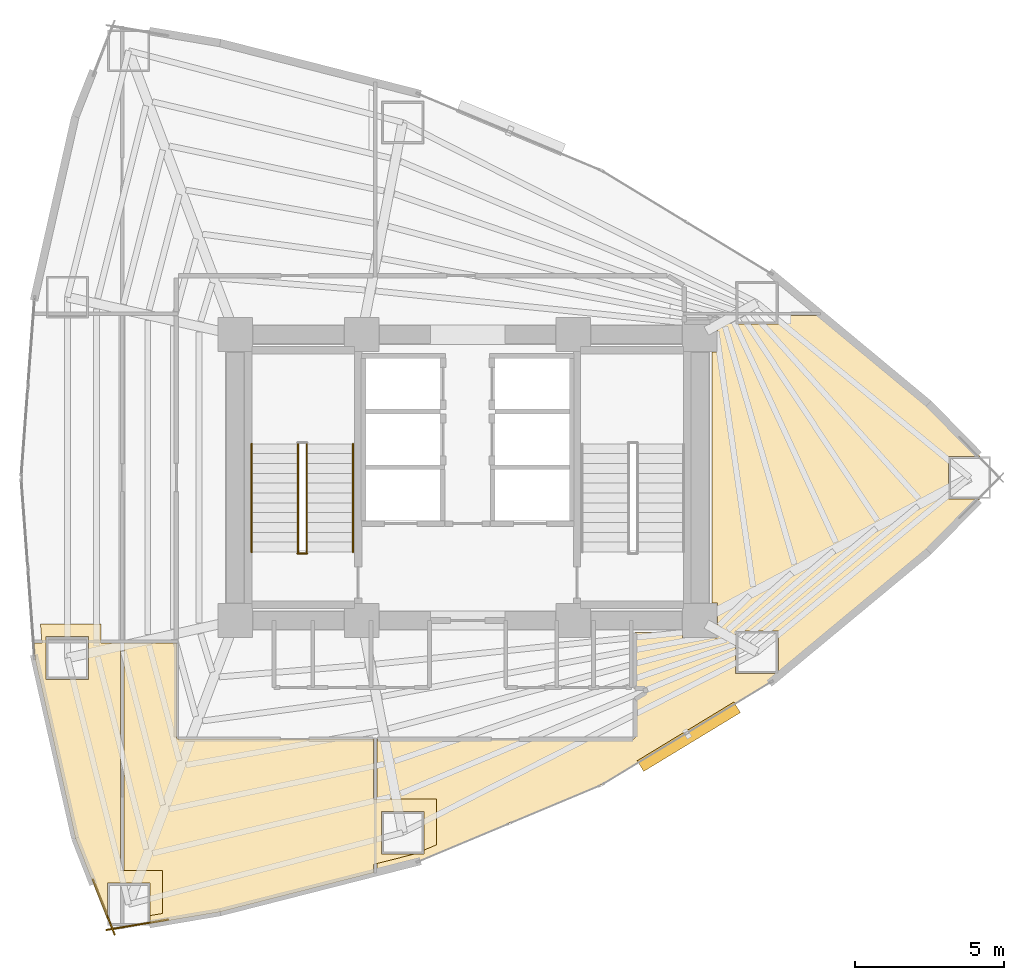
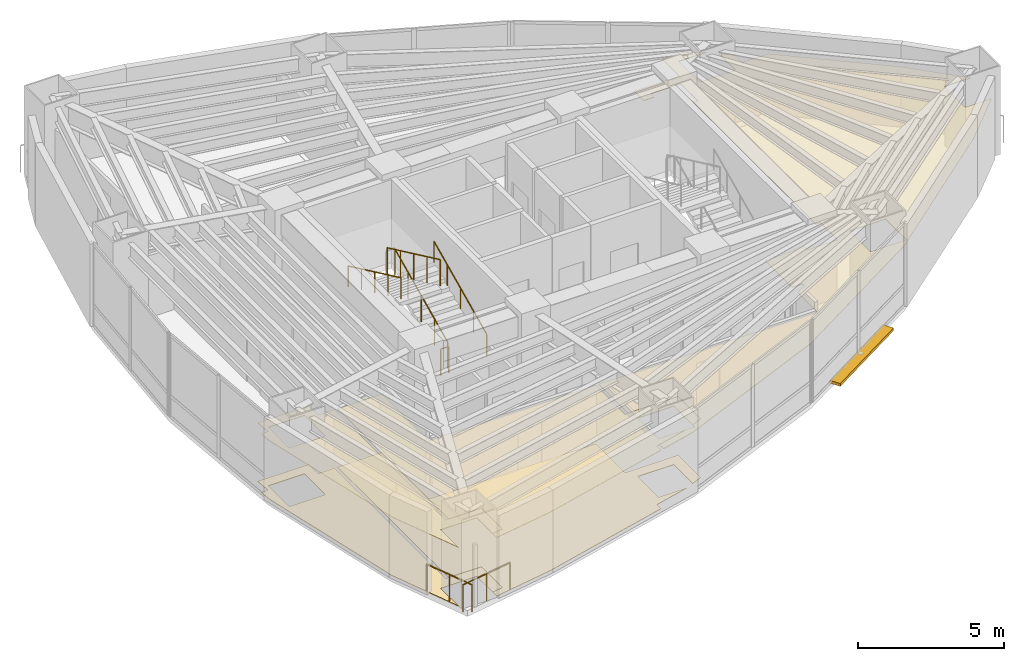
# One storey, part 16 of 17: 7 railings, 5 coverings, 1 shading device.
"""IFC4 building model written with IfcOpenShell, lengths in metres."""

from ifc_helpers import new_model, si_unit, direction, frame, origin, origin_2d, place, context, subcontext, project, spatial, polyline, rectangle, circle, outline, extrude, material, layer, layer_set, type_object, element, save


model = new_model("IFC4")

# Units and contexts
model_context = context("Model", 3, precision=1e-05, world=origin(), true_north=direction((0.0, 1.0)))
body_context = subcontext(model_context, "Body", "Model", "MODEL_VIEW")
ifc_project = project(units=[si_unit("LENGTHUNIT", "METRE"), si_unit("AREAUNIT", "SQUARE_METRE"), si_unit("VOLUMEUNIT", "CUBIC_METRE"), si_unit("PLANEANGLEUNIT", "RADIAN"), si_unit("MASSUNIT", "GRAM", prefix="KILO")], contexts=[model_context])

# Site, building, storey
site_placement = place(None, origin())
site = spatial("IfcSite", under=ifc_project, at=site_placement, CompositionType="ELEMENT")
building_placement = place(site_placement, origin())
building = spatial("IfcBuilding", under=site, at=building_placement, Name="Menara Vayukalpa", CompositionType="ELEMENT")
storey_placement = place(building_placement, frame((0.0, 0.0, 42.47998046875)))
storey = spatial("IfcBuildingStorey", under=building, at=storey_placement, Name="L09", CompositionType="ELEMENT", Elevation=42.47998046875)

# Coverings
ifc_material_1 = material(Name="Mineral Fibre Acoustic Ceiling Tile", Category="masonry")
ifc_layer_1 = layer(ifc_material_1, 0.02490234375)
ifc_layer_set_1 = layer_set([ifc_layer_1], Name="Mineral Fibre Acoustic Ceiling Tile")
covering_type_1 = type_object("IfcCoveringType", Name="COV-CLG1", PredefinedType="CEILING", material=ifc_layer_set_1)
covering_1_placement = place(storey_placement, frame((0.0, 0.0, 2.449951171875)))
element("IfcCovering", 1, at=covering_1_placement, inside=storey, type_object=covering_type_1, Name="L09 Executive Boardroom Acoustic Ceiling", PredefinedType="CEILING", context=body_context, shape_type="SweptSolid", body=[
    extrude(outline(polyline([(14.9326171875, 7.2900390625), (14.9326171875, 8.380615234375), (13.502685546875, 8.380615234375), (13.502685546875, 7.1708984375), (12.4375, 9.883056640625), (12.437255859375, 9.8837890625), (12.43701171875, 9.884521484375), (11.07421875, 15.941162109375), (11.073974609375, 15.942626953125), (11.03759765625, 16.42919921875), (11.03759765625, 16.43017578125), (11.03759765625, 16.43115234375), (11.03759765625, 16.43212890625), (11.0380859375, 16.43310546875), (11.038330078125, 16.43408203125), (11.038818359375, 16.434814453125), (11.039306640625, 16.435791015625), (11.039794921875, 16.436279296875), (11.04052734375, 16.43701171875), (11.041259765625, 16.437744140625), (11.0419921875, 16.4384765625), (11.042724609375, 16.43896484375), (11.043701171875, 16.439208984375), (11.044677734375, 16.439697265625), (11.045654296875, 16.439697265625), (11.04638671875, 16.43994140625), (11.047607421875, 16.43994140625), (11.3076171875, 16.43994140625), (11.260009765625, 17.075439453125), (13.29931640625, 17.075439453125), (13.29931640625, 16.43994140625), (13.929931640625, 16.43994140625), (13.930908203125, 16.43994140625), (13.931884765625, 16.439697265625), (13.932861328125, 16.439697265625), (13.933837890625, 16.439208984375), (13.934814453125, 16.438720703125), (13.935546875, 16.438232421875), (13.936279296875, 16.437744140625), (13.93701171875, 16.43701171875), (13.937744140625, 16.436279296875), (13.938232421875, 16.435546875), (13.938720703125, 16.434814453125), (13.939208984375, 16.433837890625), (13.939697265625, 16.432861328125), (13.939697265625, 16.431884765625), (13.93994140625, 16.430908203125), (13.93994140625, 16.429931640625), (13.93994140625, 8.800537109375), (15.3525390625, 8.800537109375), (15.3525390625, 7.361328125), (14.9326171875, 7.2900390625)]), holes=[polyline([(12.879150390625, 16.655517578125), (11.44921875, 16.655517578125), (11.44921875, 15.225341796875), (12.879150390625, 15.225341796875), (12.879150390625, 16.655517578125)])]), origin(), (0.0, 0.0, 1.0), 0.025146484375),
])
covering_2_placement = place(storey_placement, frame((0.0, 0.0, 2.449951171875)))
element("IfcCovering", 2, at=covering_2_placement, inside=storey, type_object=covering_type_1, Name="L09 Executive Boardroom Acoustic Ceiling", PredefinedType="CEILING", context=body_context, shape_type="SweptSolid", body=[
    extrude(outline(polyline([(13.152587890625, 8.800537109375), (14.06005859375, 8.800537109375), (14.06005859375, 16.429931640625), (14.06005859375, 16.430908203125), (14.060302734375, 16.431884765625), (14.060302734375, 16.432861328125), (14.060791015625, 16.433837890625), (14.061279296875, 16.434814453125), (14.061767578125, 16.435546875), (14.062255859375, 16.436279296875), (14.06298828125, 16.43701171875), (14.063720703125, 16.437744140625), (14.064453125, 16.438232421875), (14.065185546875, 16.438720703125), (14.066162109375, 16.439208984375), (14.067138671875, 16.439697265625), (14.068115234375, 16.439697265625), (14.069091796875, 16.43994140625), (14.070068359375, 16.43994140625), (15.820068359375, 16.43994140625), (15.821044921875, 16.43994140625), (15.822021484375, 16.439697265625), (15.822998046875, 16.439697265625), (15.82373046875, 16.439208984375), (15.82470703125, 16.438720703125), (15.82568359375, 16.438232421875), (15.826416015625, 16.437744140625), (15.8271484375, 16.43701171875), (15.82763671875, 16.436279296875), (15.828369140625, 16.435546875), (15.828857421875, 16.434814453125), (15.8291015625, 16.433837890625), (15.82958984375, 16.432861328125), (15.829833984375, 16.431884765625), (15.830078125, 16.430908203125), (15.830078125, 16.429931640625), (15.830078125, 13.290283203125), (15.830322265625, 13.283203125), (15.831298828125, 13.2763671875), (15.8330078125, 13.269775390625), (15.835205078125, 13.26318359375), (15.838134765625, 13.257080078125), (15.841796875, 13.251220703125), (15.845947265625, 13.24560546875), (15.8505859375, 13.240478515625), (15.85546875, 13.236083984375), (15.861083984375, 13.231689453125), (15.866943359375, 13.228271484375), (15.873291015625, 13.225341796875), (15.879638671875, 13.222900390625), (15.88623046875, 13.22119140625), (15.893310546875, 13.220458984375), (15.900390625, 13.219970703125), (22.429931640625, 13.219970703125), (22.430908203125, 13.219970703125), (22.431884765625, 13.2197265625), (22.432861328125, 13.219482421875), (22.433837890625, 13.21923828125), (22.434814453125, 13.21875), (22.435546875, 13.21826171875), (22.436279296875, 13.2177734375), (22.43701171875, 13.217041015625), (22.437744140625, 13.21630859375), (22.438232421875, 13.215576171875), (22.438720703125, 13.214599609375), (22.439208984375, 13.2138671875), (22.439697265625, 13.212890625), (22.439697265625, 13.2119140625), (22.43994140625, 13.2109375), (22.43994140625, 13.2099609375), (22.43994140625, 11.212158203125), (24.554443359375, 11.212158203125), (24.554443359375, 9.66650390625), (24.134521484375, 9.49072265625), (24.134521484375, 10.792236328125), (22.704345703125, 10.792236328125), (22.704345703125, 9.3623046875), (23.825439453125, 9.3623046875), (22.43994140625, 9.0087890625), (22.43994140625, 8.738037109375), (22.43994140625, 8.737060546875), (22.439697265625, 8.736083984375), (22.439453125, 8.735107421875), (22.439208984375, 8.73388671875), (22.438720703125, 8.733154296875), (22.438232421875, 8.732421875), (22.4375, 8.7314453125), (22.43701171875, 8.730712890625), (22.43603515625, 8.72998046875), (22.435302734375, 8.7294921875), (22.434326171875, 8.72900390625), (22.433349609375, 8.728515625), (22.4326171875, 8.728271484375), (17.285888671875, 7.415771484375), (17.28515625, 7.41552734375), (14.9326171875, 7.01611328125), (14.9326171875, 8.380615234375), (13.502685546875, 8.380615234375), (13.502685546875, 7.90966796875), (13.152587890625, 8.800537109375)])), origin(), (0.0, 0.0, 1.0), 0.025146484375),
])
covering_3_placement = place(storey_placement, frame((0.0, 0.0, 2.449951171875)))
element("IfcCovering", 3, at=covering_3_placement, inside=storey, type_object=covering_type_1, Name="L09 Executive Boardroom Acoustic Ceiling", PredefinedType="CEILING", context=body_context, shape_type="SweptSolid", body=[
    extrude(outline(polyline([(22.284423828125, 11.212158203125), (22.56005859375, 11.212158203125), (22.56005859375, 13.2099609375), (22.56005859375, 13.2109375), (22.560302734375, 13.2119140625), (22.560302734375, 13.212890625), (22.560791015625, 13.2138671875), (22.561279296875, 13.214599609375), (22.561767578125, 13.215576171875), (22.562255859375, 13.21630859375), (22.56298828125, 13.217041015625), (22.563720703125, 13.2177734375), (22.564453125, 13.21826171875), (22.565185546875, 13.21875), (22.566162109375, 13.21923828125), (22.567138671875, 13.219482421875), (22.568115234375, 13.2197265625), (22.569091796875, 13.219970703125), (22.570068359375, 13.219970703125), (31.149658203125, 13.219970703125), (31.15673828125, 13.220458984375), (31.163818359375, 13.22119140625), (31.17041015625, 13.222900390625), (31.1767578125, 13.225341796875), (31.18310546875, 13.228271484375), (31.188720703125, 13.231689453125), (31.194580078125, 13.236083984375), (31.199462890625, 13.240478515625), (31.2041015625, 13.24560546875), (31.208251953125, 13.251220703125), (31.2119140625, 13.257080078125), (31.214599609375, 13.26318359375), (31.217041015625, 13.269775390625), (31.21875, 13.2763671875), (31.219482421875, 13.283203125), (31.219970703125, 13.290283203125), (31.219970703125, 14.55810546875), (31.22021484375, 14.55908203125), (31.22021484375, 14.56005859375), (31.220458984375, 14.56103515625), (31.220703125, 14.56201171875), (31.22119140625, 14.56298828125), (31.2216796875, 14.563720703125), (31.222412109375, 14.564697265625), (31.22314453125, 14.565185546875), (31.22412109375, 14.56591796875), (31.224853515625, 14.56640625), (31.5927734375, 14.7900390625), (31.5986328125, 14.794189453125), (31.60400390625, 14.798583984375), (31.60888671875, 14.803466796875), (31.61328125, 14.80908203125), (31.6171875, 14.81494140625), (31.620361328125, 14.821044921875), (31.622802734375, 14.82763671875), (31.624755859375, 14.83447265625), (31.626220703125, 14.84130859375), (31.626708984375, 14.84814453125), (31.62646484375, 14.85498046875), (31.62548828125, 14.862060546875), (31.6240234375, 14.868896484375), (31.621826171875, 14.87548828125), (31.618896484375, 14.8818359375), (31.615478515625, 14.887939453125), (31.611328125, 14.8935546875), (31.606689453125, 14.898681640625), (31.6015625, 14.903564453125), (31.59619140625, 14.90771484375), (31.590087890625, 14.911376953125), (31.583740234375, 14.91455078125), (31.5771484375, 14.916748046875), (31.570556640625, 14.918701171875), (31.563720703125, 14.919677734375), (31.556396484375, 14.919921875), (31.219970703125, 14.919921875), (31.218994140625, 14.919921875), (31.218017578125, 14.920166015625), (31.217041015625, 14.92041015625), (31.21630859375, 14.9208984375), (31.21533203125, 14.921142578125), (31.21435546875, 14.921630859375), (31.213623046875, 14.92236328125), (31.212890625, 14.9228515625), (31.21240234375, 14.923583984375), (31.211669921875, 14.92431640625), (31.211181640625, 14.92529296875), (31.210693359375, 14.92626953125), (31.21044921875, 14.927001953125), (31.210205078125, 14.927978515625), (31.2099609375, 14.928955078125), (31.2099609375, 14.929931640625), (31.2099609375, 16.780029296875), (31.2099609375, 16.781005859375), (31.210205078125, 16.781982421875), (31.21044921875, 16.782958984375), (31.210693359375, 16.78369140625), (31.211181640625, 16.78466796875), (31.211669921875, 16.78564453125), (31.21240234375, 16.786376953125), (31.212890625, 16.787109375), (31.213623046875, 16.78759765625), (31.21435546875, 16.788330078125), (31.21533203125, 16.788818359375), (31.21630859375, 16.789306640625), (31.217041015625, 16.78955078125), (31.218017578125, 16.789794921875), (31.218994140625, 16.7900390625), (31.219970703125, 16.7900390625), (32.389892578125, 16.7900390625), (32.389892578125, 16.85009765625), (32.81005859375, 16.85009765625), (32.81005859375, 16.610107421875), (33.989990234375, 16.610107421875), (33.989990234375, 17.7900390625), (33.81005859375, 17.7900390625), (33.81005859375, 26.2099609375), (33.989990234375, 26.2099609375), (33.989990234375, 27.389892578125), (32.81005859375, 27.389892578125), (32.81005859375, 27.14990234375), (32.389892578125, 27.14990234375), (32.389892578125, 27.81005859375), (34.18310546875, 27.81005859375), (34.18310546875, 28.998291015625), (35.023193359375, 28.998291015625), (35.654296875, 28.61474609375), (35.698486328125, 28.578125), (34.60302734375, 28.578125), (34.60302734375, 27.148193359375), (36.032958984375, 27.148193359375), (36.032958984375, 28.30078125), (36.452880859375, 27.952392578125), (36.452880859375, 27.43994140625), (37.45263671875, 27.43994140625), (37.458740234375, 27.440185546875), (37.46435546875, 27.441162109375), (37.47021484375, 27.442626953125), (37.475830078125, 27.444580078125), (37.47802734375, 27.445556640625), (37.478759765625, 27.446044921875), (37.479736328125, 27.4462890625), (37.480712890625, 27.446533203125), (37.481689453125, 27.446533203125), (37.482666015625, 27.446533203125), (37.4833984375, 27.446533203125), (37.484619140625, 27.4462890625), (37.4853515625, 27.446044921875), (37.486328125, 27.44580078125), (37.487060546875, 27.4453125), (37.48779296875, 27.44482421875), (37.48876953125, 27.4443359375), (41.07763671875, 24.468017578125), (41.078369140625, 24.46728515625), (42.798828125, 22.715087890625), (41.749755859375, 22.715087890625), (41.749755859375, 21.284912109375), (42.798828125, 21.284912109375), (41.078369140625, 19.53271484375), (41.07763671875, 19.531982421875), (35.81201171875, 15.165283203125), (35.810791015625, 15.164306640625), (30.09130859375, 11.68994140625), (30.090576171875, 11.689697265625), (30.08984375, 11.689208984375), (23.916015625, 9.106689453125), (23.914794921875, 9.106201171875), (22.572509765625, 8.763916015625), (22.571533203125, 8.763916015625), (22.570556640625, 8.763671875), (22.569580078125, 8.763671875), (22.568603515625, 8.763916015625), (22.567626953125, 8.763916015625), (22.56689453125, 8.76416015625), (22.56591796875, 8.7646484375), (22.565185546875, 8.764892578125), (22.564208984375, 8.765380859375), (22.5634765625, 8.76611328125), (22.562744140625, 8.766845703125), (22.562255859375, 8.767578125), (22.5615234375, 8.768310546875), (22.56103515625, 8.76904296875), (22.560791015625, 8.77001953125), (22.560302734375, 8.77099609375), (22.560302734375, 8.771728515625), (22.56005859375, 8.772705078125), (22.56005859375, 8.773681640625), (22.56005859375, 9.03955078125), (22.284423828125, 8.96923828125), (22.284423828125, 11.212158203125)]), holes=[polyline([(24.134521484375, 10.792236328125), (22.704345703125, 10.792236328125), (22.704345703125, 9.3623046875), (24.134521484375, 9.3623046875), (24.134521484375, 10.792236328125)]), polyline([(36.032958984375, 16.851806640625), (34.60302734375, 16.851806640625), (34.60302734375, 15.421875), (36.032958984375, 15.421875), (36.032958984375, 16.851806640625)])]), origin(), (0.0, 0.0, 1.0), 0.025146484375),
])
ifc_material_2 = material(Name="Porcelain Stoneware Floor Tile", Category="masonry")
ifc_layer_2 = layer(ifc_material_2, 0.02001953125)
ifc_layer_set_2 = layer_set([ifc_layer_2], Name="Porcelain Stoneware Floor Tile")
covering_type_2 = type_object("IfcCoveringType", Name="COV-FLR1", PredefinedType="FLOORING", material=ifc_layer_set_2)
covering_4_placement = place(storey_placement, origin())
element("IfcCovering", 4, at=covering_4_placement, inside=storey, type_object=covering_type_2, Name="L09 Executive Boardroom Porcelain Flooring", PredefinedType="FLOORING", context=body_context, shape_type="SweptSolid", body=[
    extrude(outline(polyline([(14.9326171875, 7.2900390625), (14.9326171875, 8.380615234375), (13.502685546875, 8.380615234375), (13.502685546875, 7.1708984375), (12.4375, 9.883056640625), (12.437255859375, 9.8837890625), (12.43701171875, 9.884521484375), (11.07421875, 15.941162109375), (11.073974609375, 15.942626953125), (11.03759765625, 16.42919921875), (11.03759765625, 16.43017578125), (11.03759765625, 16.43115234375), (11.03759765625, 16.43212890625), (11.0380859375, 16.43310546875), (11.038330078125, 16.43408203125), (11.038818359375, 16.434814453125), (11.039306640625, 16.435791015625), (11.039794921875, 16.436279296875), (11.04052734375, 16.43701171875), (11.041259765625, 16.437744140625), (11.0419921875, 16.4384765625), (11.042724609375, 16.43896484375), (11.043701171875, 16.439208984375), (11.044677734375, 16.439697265625), (11.045654296875, 16.439697265625), (11.04638671875, 16.43994140625), (11.047607421875, 16.43994140625), (11.3076171875, 16.43994140625), (11.260009765625, 17.075439453125), (13.29931640625, 17.075439453125), (13.29931640625, 16.43994140625), (13.929931640625, 16.43994140625), (13.930908203125, 16.43994140625), (13.931884765625, 16.439697265625), (13.932861328125, 16.439697265625), (13.933837890625, 16.439208984375), (13.934814453125, 16.438720703125), (13.935546875, 16.438232421875), (13.936279296875, 16.437744140625), (13.93701171875, 16.43701171875), (13.937744140625, 16.436279296875), (13.938232421875, 16.435546875), (13.938720703125, 16.434814453125), (13.939208984375, 16.433837890625), (13.939697265625, 16.432861328125), (13.939697265625, 16.431884765625), (13.93994140625, 16.430908203125), (13.93994140625, 16.429931640625), (13.93994140625, 8.800537109375), (15.3525390625, 8.800537109375), (15.3525390625, 7.361328125), (14.9326171875, 7.2900390625)]), holes=[polyline([(12.879150390625, 16.655517578125), (11.44921875, 16.655517578125), (11.44921875, 15.225341796875), (12.879150390625, 15.225341796875), (12.879150390625, 16.655517578125)])]), origin(), (0.0, 0.0, 1.0), 0.02001953125),
])
covering_5_placement = place(storey_placement, origin())
element("IfcCovering", 5, at=covering_5_placement, inside=storey, type_object=covering_type_2, Name="L09 Executive Boardroom Porcelain Flooring", PredefinedType="FLOORING", context=body_context, shape_type="SweptSolid", body=[
    extrude(outline(polyline([(13.152587890625, 8.800537109375), (14.06005859375, 8.800537109375), (14.06005859375, 16.429931640625), (14.06005859375, 16.430908203125), (14.060302734375, 16.431884765625), (14.060302734375, 16.432861328125), (14.060791015625, 16.433837890625), (14.061279296875, 16.434814453125), (14.061767578125, 16.435546875), (14.062255859375, 16.436279296875), (14.06298828125, 16.43701171875), (14.063720703125, 16.437744140625), (14.064453125, 16.438232421875), (14.065185546875, 16.438720703125), (14.066162109375, 16.439208984375), (14.067138671875, 16.439697265625), (14.068115234375, 16.439697265625), (14.069091796875, 16.43994140625), (14.070068359375, 16.43994140625), (15.820068359375, 16.43994140625), (15.821044921875, 16.43994140625), (15.822021484375, 16.439697265625), (15.822998046875, 16.439697265625), (15.82373046875, 16.439208984375), (15.82470703125, 16.438720703125), (15.82568359375, 16.438232421875), (15.826416015625, 16.437744140625), (15.8271484375, 16.43701171875), (15.82763671875, 16.436279296875), (15.828369140625, 16.435546875), (15.828857421875, 16.434814453125), (15.8291015625, 16.433837890625), (15.82958984375, 16.432861328125), (15.829833984375, 16.431884765625), (15.830078125, 16.430908203125), (15.830078125, 16.429931640625), (15.830078125, 13.290283203125), (15.830322265625, 13.283203125), (15.831298828125, 13.2763671875), (15.8330078125, 13.269775390625), (15.835205078125, 13.26318359375), (15.838134765625, 13.257080078125), (15.841796875, 13.251220703125), (15.845947265625, 13.24560546875), (15.8505859375, 13.240478515625), (15.85546875, 13.236083984375), (15.861083984375, 13.231689453125), (15.866943359375, 13.228271484375), (15.873291015625, 13.225341796875), (15.879638671875, 13.222900390625), (15.88623046875, 13.22119140625), (15.893310546875, 13.220458984375), (15.900390625, 13.219970703125), (22.429931640625, 13.219970703125), (22.430908203125, 13.219970703125), (22.431884765625, 13.2197265625), (22.432861328125, 13.219482421875), (22.433837890625, 13.21923828125), (22.434814453125, 13.21875), (22.435546875, 13.21826171875), (22.436279296875, 13.2177734375), (22.43701171875, 13.217041015625), (22.437744140625, 13.21630859375), (22.438232421875, 13.215576171875), (22.438720703125, 13.214599609375), (22.439208984375, 13.2138671875), (22.439697265625, 13.212890625), (22.439697265625, 13.2119140625), (22.43994140625, 13.2109375), (22.43994140625, 13.2099609375), (22.43994140625, 11.212158203125), (24.554443359375, 11.212158203125), (24.554443359375, 9.66650390625), (24.134521484375, 9.49072265625), (24.134521484375, 10.792236328125), (22.704345703125, 10.792236328125), (22.704345703125, 9.3623046875), (23.825439453125, 9.3623046875), (22.43994140625, 9.0087890625), (22.43994140625, 8.738037109375), (22.43994140625, 8.737060546875), (22.439697265625, 8.736083984375), (22.439453125, 8.735107421875), (22.439208984375, 8.73388671875), (22.438720703125, 8.733154296875), (22.438232421875, 8.732421875), (22.4375, 8.7314453125), (22.43701171875, 8.730712890625), (22.43603515625, 8.72998046875), (22.435302734375, 8.7294921875), (22.434326171875, 8.72900390625), (22.433349609375, 8.728515625), (22.4326171875, 8.728271484375), (17.285888671875, 7.415771484375), (17.28515625, 7.41552734375), (14.9326171875, 7.01611328125), (14.9326171875, 8.380615234375), (13.502685546875, 8.380615234375), (13.502685546875, 7.90966796875), (13.152587890625, 8.800537109375)])), origin(), (0.0, 0.0, 1.0), 0.02001953125),
])

# Railings
ifc_material_3 = material(Name="Laminated Glass and Stainless Steel 316 Guardrail", Category="steel")
railing_type_1 = type_object("IfcRailingType", Name="RLG-EXT115", PredefinedType="GUARDRAIL", material=ifc_material_3)
railing_1_placement = place(storey_placement, frame((13.02099609375, 8.50634765625, 0.0)))
element("IfcRailing", 6, at=railing_1_placement, inside=storey, type_object=railing_type_1, Name="L09 Column Corner Spandrel Guardrail 13-1", PredefinedType="GUARDRAIL", context=body_context, shape_type="SweptSolid", body=[
    extrude(circle(Radius=0.02392578125, at=origin_2d()), frame((0.0, 0.0, 1.1259765625), z_axis=(0.365580158762, -0.930779859859, 0.0), x_axis=(0.930779859859, 0.365580158762, 0.0)), (0.0, 0.0, 1.0), 1.9873046875),
    extrude(circle(Radius=0.02099609375, at=origin_2d()), origin(), (0.0, 0.0, 1.0), 1.101806640625),
    extrude(circle(Radius=0.02099609375, at=origin_2d()), frame((0.36328125, -0.9248046875, 0.0)), (0.0, 0.0, 1.0), 1.101806640625),
    extrude(circle(Radius=0.02099609375, at=origin_2d()), frame((0.7265625, -1.849853515625, 0.0)), (0.0, 0.0, 1.0), 1.101806640625),
])
railing_2_placement = place(storey_placement, frame((13.4765625, 6.8095703125, 0.0)))
element("IfcRailing", 7, at=railing_2_placement, inside=storey, type_object=railing_type_1, Name="L09 Column Corner Spandrel Guardrail 14-1", PredefinedType="GUARDRAIL", context=body_context, shape_type="SweptSolid", body=[
    extrude(circle(Radius=0.02392578125, at=origin_2d()), frame((0.0, 0.0, 1.1259765625), z_axis=(0.985904350491, 0.167309927029, 0.0), x_axis=(-0.167309927029, 0.985904350491, 0.0)), (0.0, 0.0, 1.0), 2.093994140625),
    extrude(circle(Radius=0.02099609375, at=origin_2d()), origin(), (0.0, 0.0, 1.0), 1.101806640625),
    extrude(circle(Radius=0.02099609375, at=origin_2d()), frame((1.0322265625, 0.17529296875, 0.0)), (0.0, 0.0, 1.0), 1.101806640625),
    extrude(circle(Radius=0.02099609375, at=origin_2d()), frame((2.064453125, 0.350341796875, 0.0)), (0.0, 0.0, 1.0), 1.101806640625),
])
ifc_material_4 = material(Name="Powder-Coated Galvanised Steel Guardrail", Category="steel")
railing_type_2 = type_object("IfcRailingType", Name="RLG-STG110", PredefinedType="GUARDRAIL", material=ifc_material_4)
railing_3_placement = place(storey_placement, frame((20.199951171875, 19.5, 0.155029296875)))
element("IfcRailing", 8, at=railing_3_placement, inside=storey, type_object=railing_type_2, Name="L09 ST-1 stair guard 1", PredefinedType="GUARDRAIL", context=body_context, shape_type="SweptSolid", body=[
    extrude(circle(Radius=0.02392578125, at=origin_2d()), frame((0.0, 0.0, 1.09619140625), z_axis=(0.0, 0.90511648382, 0.425163675209), x_axis=(-1.0, 0.0, 0.0)), (0.0, 0.0, 1.0), 4.010498046875),
    extrude(circle(Radius=0.02099609375, at=origin_2d()), origin(), (0.0, 0.0, 1.0), 1.072021484375),
    extrude(circle(Radius=0.02099609375, at=origin_2d()), frame((0.0, 0.907470703125, 0.42626953125)), (0.0, 0.0, 1.0), 1.072021484375),
    extrude(circle(Radius=0.02099609375, at=origin_2d()), frame((0.0, 1.81494140625, 0.8525390625)), (0.0, 0.0, 1.0), 1.072021484375),
    extrude(circle(Radius=0.02099609375, at=origin_2d()), frame((0.0, 2.722412109375, 1.27880859375)), (0.0, 0.0, 1.0), 1.072021484375),
    extrude(circle(Radius=0.02099609375, at=origin_2d()), frame((0.0, 3.6298828125, 1.705078125)), (0.0, 0.0, 1.0), 1.072021484375),
])
railing_4_placement = place(storey_placement, frame((19.89990234375, 23.1298828125, 2.01513671875)))
element("IfcRailing", 9, at=railing_4_placement, inside=storey, type_object=railing_type_2, Name="L09 ST-1 stair guard 3", PredefinedType="GUARDRAIL", context=body_context, shape_type="SweptSolid", body=[
    extrude(circle(Radius=0.02392578125, at=origin_2d()), frame((0.0, 0.0, 1.09619140625), z_axis=(0.0, -0.90513990983, 0.425113800803), x_axis=(1.0, 0.0, 0.0)), (0.0, 0.0, 1.0), 4.01025390625),
    extrude(circle(Radius=0.02099609375, at=origin_2d()), origin(), (0.0, 0.0, 1.0), 1.072021484375),
    extrude(circle(Radius=0.02099609375, at=origin_2d()), frame((0.0, -0.907470703125, 0.42626953125)), (0.0, 0.0, 1.0), 1.072021484375),
    extrude(circle(Radius=0.02099609375, at=origin_2d()), frame((0.0, -1.81494140625, 0.8525390625)), (0.0, 0.0, 1.0), 1.072021484375),
    extrude(circle(Radius=0.02099609375, at=origin_2d()), frame((0.0, -2.722412109375, 1.278564453125)), (0.0, 0.0, 1.0), 1.072021484375),
    extrude(circle(Radius=0.02099609375, at=origin_2d()), frame((0.0, -3.6298828125, 1.704833984375)), (0.0, 0.0, 1.0), 1.072021484375),
])
railing_5_placement = place(storey_placement, frame((20.2099609375, 19.449951171875, 0.0)))
element("IfcRailing", 10, at=railing_5_placement, inside=storey, type_object=railing_type_2, Name="L09 ST-1 stair guard 4", PredefinedType="GUARDRAIL", context=body_context, shape_type="SweptSolid", body=[
    extrude(circle(Radius=0.02392578125, at=origin_2d()), frame((0.0, 0.0, 1.09619140625), z_axis=(-1.0, 0.0, 0.0), x_axis=(0.0, -1.0, 0.0)), (0.0, 0.0, 1.0), 0.320068359375),
    extrude(circle(Radius=0.02099609375, at=origin_2d()), origin(), (0.0, 0.0, 1.0), 1.072021484375),
    extrude(circle(Radius=0.02099609375, at=origin_2d()), frame((-0.320068359375, 0.0, 0.0)), (0.0, 0.0, 1.0), 1.072021484375),
])
ifc_material_5 = material(Name="Stainless Steel 316 Tubular Handrail", Category="steel")
railing_type_3 = type_object("IfcRailingType", Name="RLG-STH090", PredefinedType="HANDRAIL", material=ifc_material_5)
railing_6_placement = place(storey_placement, frame((21.75, 19.5, 0.155029296875)))
element("IfcRailing", 11, at=railing_6_placement, inside=storey, type_object=railing_type_3, Name="L09 ST-1 stair handrail 1", PredefinedType="HANDRAIL", context=body_context, shape_type="SweptSolid", body=[
    extrude(circle(Radius=0.02392578125, at=origin_2d()), frame((0.0, 0.0, 0.8759765625), z_axis=(0.0, 0.90511648382, 0.425163675209), x_axis=(-1.0, 0.0, 0.0)), (0.0, 0.0, 1.0), 4.010498046875),
    extrude(circle(Radius=0.02099609375, at=origin_2d()), origin(), (0.0, 0.0, 1.0), 0.851806640625),
    extrude(circle(Radius=0.02099609375, at=origin_2d()), frame((0.0, 0.907470703125, 0.42626953125)), (0.0, 0.0, 1.0), 0.851806640625),
    extrude(circle(Radius=0.02099609375, at=origin_2d()), frame((0.0, 1.81494140625, 0.8525390625)), (0.0, 0.0, 1.0), 0.851806640625),
    extrude(circle(Radius=0.02099609375, at=origin_2d()), frame((0.0, 2.722412109375, 1.27880859375)), (0.0, 0.0, 1.0), 0.851806640625),
    extrude(circle(Radius=0.02099609375, at=origin_2d()), frame((0.0, 3.6298828125, 1.705078125)), (0.0, 0.0, 1.0), 0.851806640625),
])
railing_7_placement = place(storey_placement, frame((18.35009765625, 23.1298828125, 2.01513671875)))
element("IfcRailing", 12, at=railing_7_placement, inside=storey, type_object=railing_type_3, Name="L09 ST-1 stair handrail 2", PredefinedType="HANDRAIL", context=body_context, shape_type="SweptSolid", body=[
    extrude(circle(Radius=0.02392578125, at=origin_2d()), frame((0.0, 0.0, 0.8759765625), z_axis=(0.0, -0.90513990983, 0.425113800803), x_axis=(1.0, 0.0, 0.0)), (0.0, 0.0, 1.0), 4.01025390625),
    extrude(circle(Radius=0.02099609375, at=origin_2d()), origin(), (0.0, 0.0, 1.0), 0.851806640625),
    extrude(circle(Radius=0.02099609375, at=origin_2d()), frame((0.0, -0.907470703125, 0.42626953125)), (0.0, 0.0, 1.0), 0.851806640625),
    extrude(circle(Radius=0.02099609375, at=origin_2d()), frame((0.0, -1.81494140625, 0.8525390625)), (0.0, 0.0, 1.0), 0.851806640625),
    extrude(circle(Radius=0.02099609375, at=origin_2d()), frame((0.0, -2.722412109375, 1.278564453125)), (0.0, 0.0, 1.0), 0.851806640625),
    extrude(circle(Radius=0.02099609375, at=origin_2d()), frame((0.0, -3.6298828125, 1.704833984375)), (0.0, 0.0, 1.0), 0.851806640625),
])

# Shading device
ifc_material_6 = material(Name="Glazed Terracotta Ceramic Baguette Extrusion", Category="masonry")
ifc_layer_3 = layer(ifc_material_6, 0.1201171875)
ifc_layer_set_3 = layer_set([ifc_layer_3], Name="Glazed Terracotta Ceramic Baguette Extrusion")
shading_device_type = type_object("IfcShadingDeviceType", Name="SHD-SS1", PredefinedType="USERDEFINED", material=ifc_layer_set_3)
shading_device_placement = place(storey_placement, frame((33.02880859375, 13.298828125, -0.10009765625), z_axis=(0.0, 0.0, 1.0), x_axis=(0.85466730962, 0.519176068272, 0.0)))
element("IfcShadingDevice", 13, at=shading_device_placement, inside=storey, type_object=shading_device_type, Name="L09 Horizontal Terracotta Sunshade Band 17", ObjectType="SUNSHADE", PredefinedType="USERDEFINED", context=body_context, shape_type="SweptSolid", body=[
    extrude(rectangle(XDim=3.800048828125, YDim=0.419921875, at=origin_2d()), origin(), (0.0, 0.0, 1.0), 0.1201171875),
])

save(model, "model.ifc")
